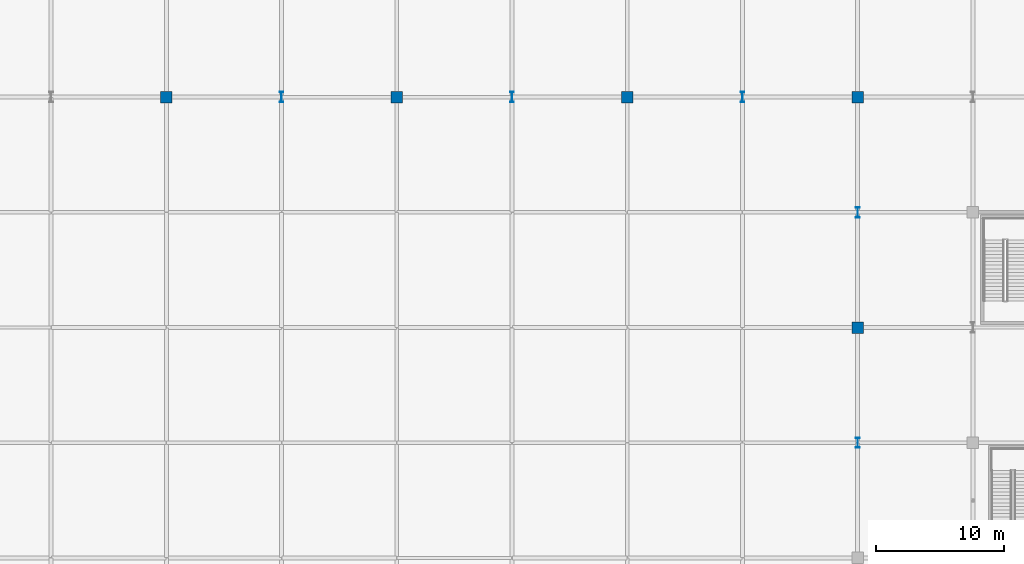
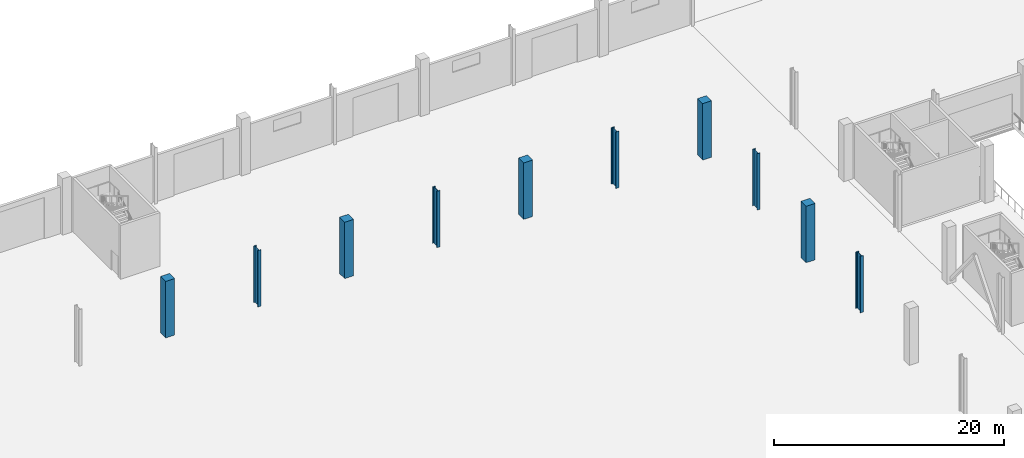
# One storey, part 8 of 58: 10 columns.
"""IFC4 building model written with IfcOpenShell, lengths in metres."""

from ifc_helpers import new_model, si_unit, direction, frame, origin, origin_2d, place, context, subcontext, project, spatial, rectangle, i_section, extrude, material, material_profile, profile_set, type_object, element, save


model = new_model("IFC4")

# Units and contexts
model_context = context("Model", 3, precision=1e-05, world=origin(), true_north=direction((0.0, 1.0)))
body_context = subcontext(model_context, "Body", "Model", "MODEL_VIEW")
ifc_project = project(units=[si_unit("LENGTHUNIT", "METRE"), si_unit("AREAUNIT", "SQUARE_METRE"), si_unit("VOLUMEUNIT", "CUBIC_METRE"), si_unit("PLANEANGLEUNIT", "RADIAN"), si_unit("MASSUNIT", "GRAM", prefix="KILO")], contexts=[model_context])

# Site, building, storey
site_placement = place(None, origin())
site = spatial("IfcSite", under=ifc_project, at=site_placement, CompositionType="ELEMENT")
building_placement = place(site_placement, origin())
building = spatial("IfcBuilding", under=site, at=building_placement, Name="Barlavento Convention Centre", CompositionType="ELEMENT")
storey_placement = place(building_placement, origin())
storey = spatial("IfcBuildingStorey", under=building, at=storey_placement, Name="L00", CompositionType="ELEMENT", Elevation=0.0)

# Columns
ifc_material_1 = material(Name="Steel S460", Category="steel")
ifc_material_profile_1 = material_profile(ifc_material_1, i_section(OverallWidth=0.302978515625, OverallDepth=0.81396484375, WebThickness=0.02099609375, FlangeThickness=0.0400390625, FilletRadius=0.030029296875, at=origin_2d()), Name="HEM 800")
ifc_profile_set_1 = profile_set([ifc_material_profile_1], Name="Steel S460")
column_type_1 = type_object("IfcColumnType", Name="STR-COL-HEM800", PredefinedType="COLUMN", material=ifc_profile_set_1)
for number, where, z_axis, x_axis, name in (
    (1, (72.0, 117.0, 0.0), (0.0, 0.0, 1.0), (1.0, 0.0, 0.0), "L00 column SC02"),
    (2, (90.0, 117.0, 0.0), (0.0, 0.0, 1.0), (1.0, 0.0, 0.0), "L00 column SC02"),
    (3, (108.0, 117.0, 0.0), (0.0, 0.0, 1.0), (1.0, 0.0, 0.0), "L00 column SC02"),
    (4, (117.0, 90.0, 0.0), (0.0, 0.0, 1.0), (1.0, 0.0, 0.0), "L00 column SC02"),
    (5, (117.0, 108.0, 0.0), (0.0, 0.0, 1.0), (1.0, 0.0, 0.0), "L00 column SC02"),
):
    element("IfcColumn", number, at=place(storey_placement, frame(where, z_axis=z_axis, x_axis=x_axis)), inside=storey, type_object=column_type_1, Name=name, PredefinedType="COLUMN", context=body_context, shape_type="SweptSolid", body=[
        extrude(i_section(OverallWidth=0.302978515625, OverallDepth=0.81396484375, WebThickness=0.02099609375, FlangeThickness=0.0400390625, FilletRadius=0.030029296875, at=origin_2d()), origin(), (0.0, 0.0, 1.0), 6.0),
    ])
ifc_material_2 = material(Name="Concrete C50/60", Category="concrete")
ifc_material_profile_2 = material_profile(ifc_material_2, rectangle(XDim=0.89990234375, YDim=0.89990234375, at=origin_2d()), Name="RC 900x900")
ifc_profile_set_2 = profile_set([ifc_material_profile_2], Name="Concrete C50/60")
column_type_2 = type_object("IfcColumnType", Name="STR-COL-RC900", PredefinedType="COLUMN", material=ifc_profile_set_2)
for number, where, z_axis, x_axis, name in (
    (6, (63.0, 117.0, 0.0), (0.0, 0.0, 1.0), (1.0, 0.0, 0.0), "L00 column CC04"),
    (7, (81.0, 117.0, 0.0), (0.0, 0.0, 1.0), (1.0, 0.0, 0.0), "L00 column CC04"),
    (8, (99.0, 117.0, 0.0), (0.0, 0.0, 1.0), (1.0, 0.0, 0.0), "L00 column CC04"),
    (9, (117.0, 99.0, 0.0), (0.0, 0.0, 1.0), (1.0, 0.0, 0.0), "L00 column CC04"),
    (10, (117.0, 117.0, 0.0), (0.0, 0.0, 1.0), (1.0, 0.0, 0.0), "L00 column CC04"),
):
    element("IfcColumn", number, at=place(storey_placement, frame(where, z_axis=z_axis, x_axis=x_axis)), inside=storey, type_object=column_type_2, Name=name, PredefinedType="COLUMN", context=body_context, shape_type="SweptSolid", body=[
        extrude(rectangle(XDim=0.89990234375, YDim=0.89990234375, at=origin_2d()), origin(), (0.0, 0.0, 1.0), 6.0),
    ])

save(model, "model.ifc")
